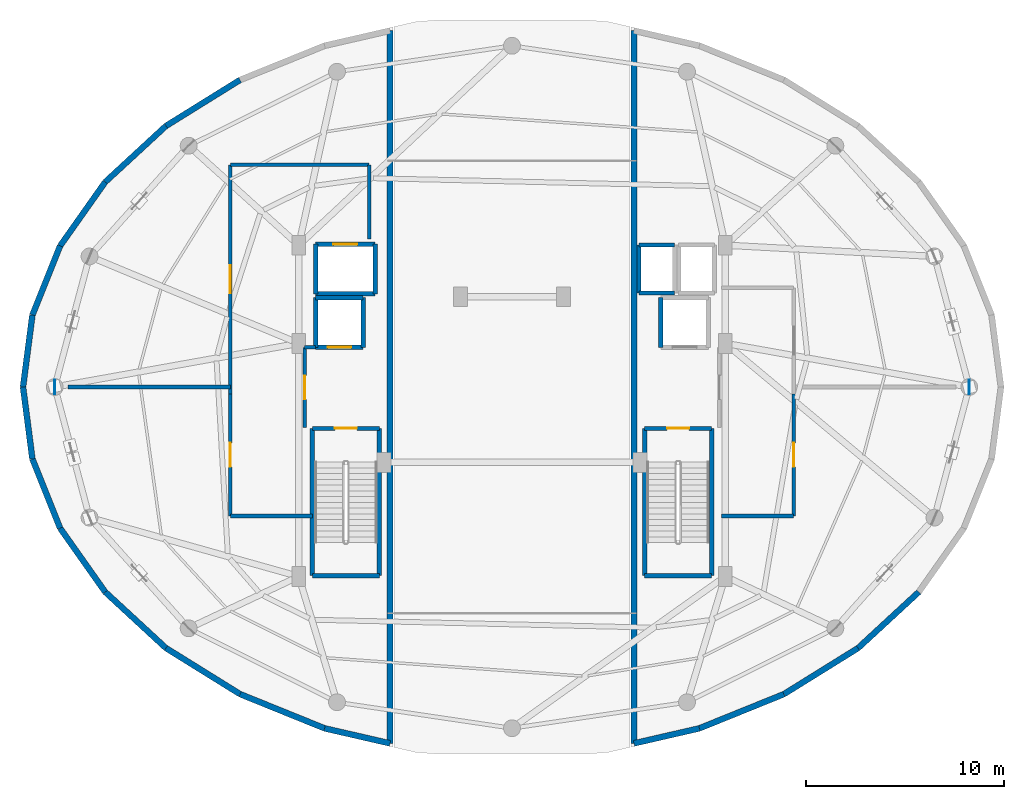
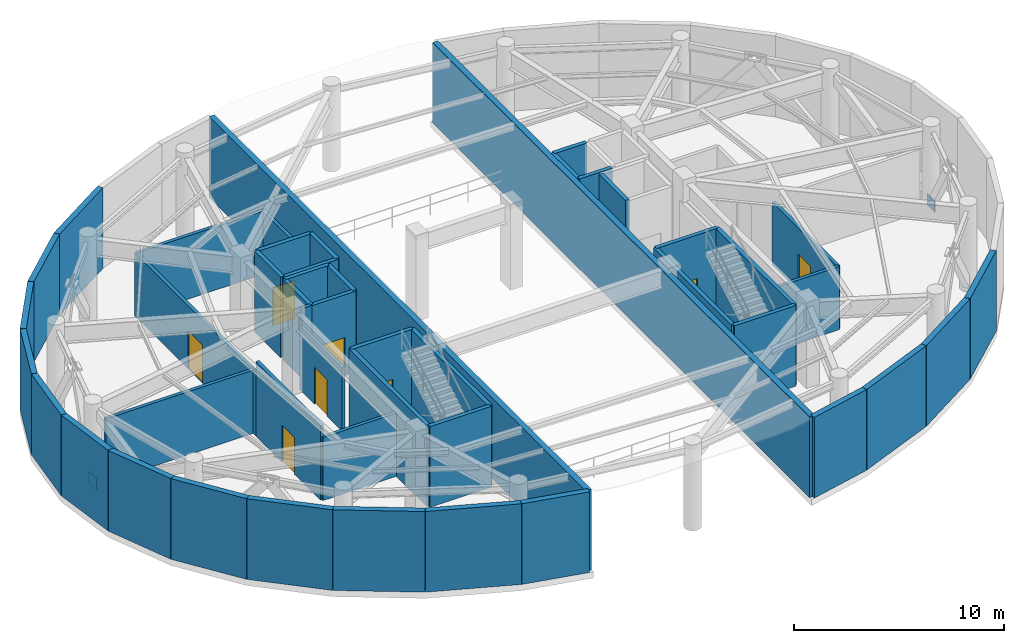
# One storey, part 5 of 7: 48 walls, 8 doors, 2 plates, 8 openings.
"""IFC4 building model written with IfcOpenShell, lengths in metres."""

from ifc_helpers import new_model, si_unit, direction, frame, frame_2d, origin, origin_2d, place, context, subcontext, project, spatial, rectangle, extrude, material, layer, layer_set, type_object, element, fill, save


model = new_model("IFC4")

# Units and contexts
model_context = context("Model", 3, precision=1e-05, world=origin(), true_north=direction((0.0, 1.0)))
body_context = subcontext(model_context, "Body", "Model", "MODEL_VIEW")
ifc_project = project(units=[si_unit("LENGTHUNIT", "METRE"), si_unit("AREAUNIT", "SQUARE_METRE"), si_unit("VOLUMEUNIT", "CUBIC_METRE"), si_unit("PLANEANGLEUNIT", "RADIAN"), si_unit("MASSUNIT", "GRAM", prefix="KILO")], contexts=[model_context])

# Site, building, storey
site_placement = place(None, origin())
site = spatial("IfcSite", under=ifc_project, at=site_placement, CompositionType="ELEMENT")
building_placement = place(site_placement, origin())
building = spatial("IfcBuilding", under=site, at=building_placement, Name="Vorneva Point Tower", CompositionType="ELEMENT")
storey_placement = place(building_placement, frame((0.0, 0.0, 280.39990234375)))
storey = spatial("IfcBuildingStorey", under=building, at=storey_placement, Name="L76", CompositionType="ELEMENT", Elevation=280.39990234375)

# Plates
ifc_material_1 = material(Name="Steel S460", Category="steel")
ifc_layer_1 = layer(ifc_material_1, 0.031982421875)
ifc_layer_set_1 = layer_set([ifc_layer_1], Name="Steel S460")
plate_type = type_object("IfcPlateType", Name="PLT-GUS-32", PredefinedType="USERDEFINED", material=ifc_layer_set_1)
for number, where, z_axis, x_axis, name in (
    (1, (61.050048828125, 26.0, -0.054931640625), (0.0, 0.0, 1.0), (0.0, 1.0, 0.0), "L76 Belt-Truss Column Base Gusset Plate 01"),
    (2, (14.949951171875, 26.0, -0.054931640625), (0.0, 0.0, 1.0), (0.0, -1.0, 0.0), "L76 Belt-Truss Column Base Gusset Plate 09"),
):
    element("IfcPlate", number, at=place(storey_placement, frame(where, z_axis=z_axis, x_axis=x_axis)), inside=storey, type_object=plate_type, Name=name, ObjectType="GUSSET PLATE", PredefinedType="USERDEFINED", context=body_context, shape_type="SweptSolid", body=[
        extrude(rectangle(XDim=0.75, YDim=0.031982421875, at=origin_2d()), origin(), (0.0, 0.0, 1.0), 0.64990234375),
    ])

# Wall, opening, door
ifc_material_2 = material(Name="Concrete B60 (C50/60)", Category="concrete")
ifc_layer_2 = layer(ifc_material_2, 0.35009765625)
ifc_layer_set_2 = layer_set([ifc_layer_2], Name="Concrete B60 (C50/60)")
wall_type_1 = type_object("IfcWallType", Name="WL-CORE-350", PredefinedType="SHEAR", material=ifc_layer_set_2)
wall_1_placement = place(storey_placement, frame((28.10009765625, 28.0, 0.0), z_axis=(0.0, 0.0, 1.0), x_axis=(1.0, 0.0, 0.0)))
wall_1 = element("IfcWall", 3, at=wall_1_placement, inside=storey, type_object=wall_type_1, Name="L76 Lift FFL1 Shaft Wall -Y", PredefinedType="SHEAR", context=body_context, shape_type="SweptSolid", body=[
    extrude(rectangle(XDim=2.39990234375, YDim=0.219970703125, at=frame_2d((1.199951171875, 0.0))), origin(), (0.0, 0.0, 1.0), 4.690185546875),
])
opening_1_placement = place(wall_1_placement, frame((0.60009765625, 0.0, 0.0)))
opening_1 = element("IfcOpeningElement", 4, at=opening_1_placement, cuts=wall_1, Name="Opening LD-02", PredefinedType="OPENING", context=body_context, shape_type="SweptSolid", body=[
    extrude(rectangle(XDim=1.199951171875, YDim=2.199951171875, at=frame_2d((0.60009765625, 1.10009765625))), frame((0.0, 0.125, 0.0), z_axis=(0.0, -1.0, 0.0), x_axis=(1.0, 0.0, 0.0)), (0.0, 0.0, 1.0), 0.249755859375),
])
ifc_material_3 = material(Name="Brushed stainless steel S304", Category="steel")
door_type_1 = type_object("IfcDoorType", Name="LD-FIRE-1200", OperationType="SLIDING_TO_LEFT", PredefinedType="DOOR", material=ifc_material_3)
door_1_placement = place(opening_1_placement, origin())
door_1 = element("IfcDoor", 5, at=door_1_placement, inside=storey, type_object=door_type_1, Name="L76 Lift FFL1 Sliding Landing Door", OperationType="SLIDING_TO_LEFT", OverallHeight=2.199951171875, OverallWidth=1.199951171875, PredefinedType="DOOR", context=body_context, shape_type="SweptSolid", body=[
    extrude(rectangle(XDim=1.199951171875, YDim=2.199951171875, at=frame_2d((0.60009765625, 1.10009765625))), frame((0.0, 0.02490234375, 0.0), z_axis=(0.0, -1.0, 0.0), x_axis=(1.0, 0.0, 0.0)), (0.0, 0.0, 1.0), 0.050048828125),
])
fill(opening_1, door_1)

# Walls
wall_2_placement = place(storey_placement, frame((30.5, 28.0, 0.0), z_axis=(0.0, 0.0, 1.0), x_axis=(0.0, 1.0, 0.0)))
element("IfcWall", 6, at=wall_2_placement, inside=storey, type_object=wall_type_1, Name="L76 Lift FFL1 Shaft Wall +X", PredefinedType="SHEAR", context=body_context, shape_type="SweptSolid", body=[
    extrude(rectangle(XDim=2.5, YDim=0.219970703125, at=frame_2d((1.25, 0.0))), origin(), (0.0, 0.0, 1.0), 4.690185546875),
])
wall_3_placement = place(storey_placement, frame((30.5, 30.5, 0.0), z_axis=(0.0, 0.0, 1.0), x_axis=(-1.0, 0.0, 0.0)))
element("IfcWall", 7, at=wall_3_placement, inside=storey, type_object=wall_type_1, Name="L76 Lift FFL1 Shaft Wall +Y", PredefinedType="SHEAR", context=body_context, shape_type="SweptSolid", body=[
    extrude(rectangle(XDim=2.39990234375, YDim=0.219970703125, at=frame_2d((1.199951171875, 0.0))), origin(), (0.0, 0.0, 1.0), 4.690185546875),
])
for number, where, z_axis, x_axis, name in (
    (8, (28.10009765625, 30.5, 0.0), (0.0, 0.0, 1.0), (0.0, -1.0, 0.0), "L76 Lift FFL1 Shaft Wall -X"),
    (9, (45.5, 30.5, 0.0), (0.0, 0.0, 1.0), (0.0, -1.0, 0.0), "L76 Lift FFL2 Shaft Wall -X"),
):
    element("IfcWall", number, at=place(storey_placement, frame(where, z_axis=z_axis, x_axis=x_axis)), inside=storey, type_object=wall_type_1, Name=name, PredefinedType="SHEAR", context=body_context, shape_type="SweptSolid", body=[
        extrude(rectangle(XDim=2.5, YDim=0.219970703125, at=frame_2d((1.25, 0.0))), origin(), (0.0, 0.0, 1.0), 4.690185546875),
    ])
ifc_material_4 = material(Name="Precast concrete B50 (C40/50)", Category="concrete")
ifc_layer_3 = layer(ifc_material_4, 0.300048828125)
ifc_layer_set_3 = layer_set([ifc_layer_3], Name="Precast concrete B50 (C40/50)")
wall_type_2 = type_object("IfcWallType", Name="WL-EXT-300", PredefinedType="STANDARD", material=ifc_layer_set_3)
wall_4_placement = place(storey_placement, frame((31.85009765625, 8.0361328125, 0.0), z_axis=(0.0, 0.0, 1.0), x_axis=(-0.974626745529, 0.223836339542, 0.0)))
element("IfcWall", 10, at=wall_4_placement, inside=storey, type_object=wall_type_2, Name="L76 Wind Portal W Acoustic Louvre Wall 01", PredefinedType="STANDARD", context=body_context, shape_type="SweptSolid", body=[
    extrude(rectangle(XDim=3.381103515625, YDim=0.300048828125, at=frame_2d((1.6904296875, 0.0))), origin(), (0.0, 0.0, 1.0), 4.690185546875),
])
wall_5_placement = place(storey_placement, frame((28.5546875, 8.79296875, 0.0), z_axis=(0.0, 0.0, 1.0), x_axis=(-0.92693538823, 0.37522098295, 0.0)))
element("IfcWall", 11, at=wall_5_placement, inside=storey, type_object=wall_type_2, Name="L76 Wind Portal W Acoustic Louvre Wall 02", PredefinedType="STANDARD", context=body_context, shape_type="SweptSolid", body=[
    extrude(rectangle(XDim=4.600830078125, YDim=0.300048828125, at=frame_2d((2.30029296875, 0.0))), origin(), (0.0, 0.0, 1.0), 4.690185546875),
])
wall_6_placement = place(storey_placement, frame((24.2900390625, 10.519287109375, 0.0), z_axis=(0.0, 0.0, 1.0), x_axis=(-0.849349234666, 0.527831296507, 0.0)))
element("IfcWall", 12, at=wall_6_placement, inside=storey, type_object=wall_type_2, Name="L76 Wind Portal W Acoustic Louvre Wall 03", PredefinedType="STANDARD", context=body_context, shape_type="SweptSolid", body=[
    extrude(rectangle(XDim=4.397216796875, YDim=0.300048828125, at=frame_2d((2.19873046875, 0.0))), origin(), (0.0, 0.0, 1.0), 4.690185546875),
])
wall_7_placement = place(storey_placement, frame((20.55517578125, 12.84033203125, 0.0), z_axis=(0.0, 0.0, 1.0), x_axis=(-0.734924736036, 0.678148680131, 0.0)))
element("IfcWall", 13, at=wall_7_placement, inside=storey, type_object=wall_type_2, Name="L76 Wind Portal W Acoustic Louvre Wall 04", PredefinedType="STANDARD", context=body_context, shape_type="SweptSolid", body=[
    extrude(rectangle(XDim=4.166748046875, YDim=0.300048828125, at=frame_2d((2.08349609375, 0.0))), origin(), (0.0, 0.0, 1.0), 4.690185546875),
])
wall_8_placement = place(storey_placement, frame((17.492919921875, 15.666015625, 0.0), z_axis=(0.0, 0.0, 1.0), x_axis=(-0.576692927478, 0.816960995028, 0.0)))
element("IfcWall", 14, at=wall_8_placement, inside=storey, type_object=wall_type_2, Name="L76 Wind Portal W Acoustic Louvre Wall 05", PredefinedType="STANDARD", context=body_context, shape_type="SweptSolid", body=[
    extrude(rectangle(XDim=3.9404296875, YDim=0.300048828125, at=frame_2d((1.97021484375, 0.0))), origin(), (0.0, 0.0, 1.0), 4.690185546875),
])
wall_9_placement = place(storey_placement, frame((15.220458984375, 18.88525390625, 0.0), z_axis=(0.0, 0.0, 1.0), x_axis=(-0.371849773866, 0.928292920191, 0.0)))
element("IfcWall", 15, at=wall_9_placement, inside=storey, type_object=wall_type_2, Name="L76 Wind Portal W Acoustic Louvre Wall 06", PredefinedType="STANDARD", context=body_context, shape_type="SweptSolid", body=[
    extrude(rectangle(XDim=3.7587890625, YDim=0.300048828125, at=frame_2d((1.87939453125, 0.0))), origin(), (0.0, 0.0, 1.0), 4.690185546875),
])
for number, where, z_axis, x_axis, name in (
    (16, (13.82275390625, 22.37451171875, 0.0), (0.0, 0.0, 1.0), (-0.128948064223, 0.991651348375, 0.0), "L76 Wind Portal W Acoustic Louvre Wall 07"),
    (17, (13.351318359375, 26.0, 0.0), (0.0, 0.0, 1.0), (0.128948064223, 0.991651348375, 0.0), "L76 Wind Portal W Acoustic Louvre Wall 08"),
):
    element("IfcWall", number, at=place(storey_placement, frame(where, z_axis=z_axis, x_axis=x_axis)), inside=storey, type_object=wall_type_2, Name=name, PredefinedType="STANDARD", context=body_context, shape_type="SweptSolid", body=[
        extrude(rectangle(XDim=3.656005859375, YDim=0.300048828125, at=frame_2d((1.828125, 0.0))), origin(), (0.0, 0.0, 1.0), 4.690185546875),
    ])
wall_10_placement = place(storey_placement, frame((13.82275390625, 29.62548828125, 0.0), z_axis=(0.0, 0.0, 1.0), x_axis=(0.371849773866, 0.928292920191, 0.0)))
element("IfcWall", 18, at=wall_10_placement, inside=storey, type_object=wall_type_2, Name="L76 Wind Portal W Acoustic Louvre Wall 09", PredefinedType="STANDARD", context=body_context, shape_type="SweptSolid", body=[
    extrude(rectangle(XDim=3.7587890625, YDim=0.300048828125, at=frame_2d((1.87939453125, 0.0))), origin(), (0.0, 0.0, 1.0), 4.690185546875),
])
wall_11_placement = place(storey_placement, frame((15.220458984375, 33.11474609375, 0.0), z_axis=(0.0, 0.0, 1.0), x_axis=(0.576692927478, 0.816960995028, 0.0)))
element("IfcWall", 19, at=wall_11_placement, inside=storey, type_object=wall_type_2, Name="L76 Wind Portal W Acoustic Louvre Wall 10", PredefinedType="STANDARD", context=body_context, shape_type="SweptSolid", body=[
    extrude(rectangle(XDim=3.9404296875, YDim=0.300048828125, at=frame_2d((1.97021484375, 0.0))), origin(), (0.0, 0.0, 1.0), 4.690185546875),
])
wall_12_placement = place(storey_placement, frame((17.492919921875, 36.333984375, 0.0), z_axis=(0.0, 0.0, 1.0), x_axis=(0.734924736036, 0.678148680131, 0.0)))
element("IfcWall", 20, at=wall_12_placement, inside=storey, type_object=wall_type_2, Name="L76 Wind Portal W Acoustic Louvre Wall 11", PredefinedType="STANDARD", context=body_context, shape_type="SweptSolid", body=[
    extrude(rectangle(XDim=4.166748046875, YDim=0.300048828125, at=frame_2d((2.08349609375, 0.0))), origin(), (0.0, 0.0, 1.0), 4.690185546875),
])
wall_13_placement = place(storey_placement, frame((20.55517578125, 39.15966796875, 0.0), z_axis=(0.0, 0.0, 1.0), x_axis=(0.849349234666, 0.527831296507, 0.0)))
element("IfcWall", 21, at=wall_13_placement, inside=storey, type_object=wall_type_2, Name="L76 Wind Portal W Acoustic Louvre Wall 12", PredefinedType="STANDARD", context=body_context, shape_type="SweptSolid", body=[
    extrude(rectangle(XDim=4.397216796875, YDim=0.300048828125, at=frame_2d((2.19873046875, 0.0))), origin(), (0.0, 0.0, 1.0), 4.690185546875),
])
wall_14_placement = place(storey_placement, frame((31.85009765625, 43.9638671875, 0.0), z_axis=(0.0, 0.0, 1.0), x_axis=(0.0, -1.0, 0.0)))
element("IfcWall", 22, at=wall_14_placement, inside=storey, type_object=wall_type_2, Name="L76 Wind Portal W Acoustic Louvre Wall 15", PredefinedType="STANDARD", context=body_context, shape_type="SweptSolid", body=[
    extrude(rectangle(XDim=35.927734375, YDim=0.300048828125, at=frame_2d((17.9638671875, 0.0))), origin(), (0.0, 0.0, 1.0), 4.690185546875),
])
wall_15_placement = place(storey_placement, frame((58.507080078125, 15.666015625, 0.0), z_axis=(0.0, 0.0, 1.0), x_axis=(-0.734924736036, -0.678148680131, 0.0)))
element("IfcWall", 23, at=wall_15_placement, inside=storey, type_object=wall_type_2, Name="L76 Wind Portal E Acoustic Louvre Wall 11", PredefinedType="STANDARD", context=body_context, shape_type="SweptSolid", body=[
    extrude(rectangle(XDim=4.166748046875, YDim=0.300048828125, at=frame_2d((2.08349609375, 0.0))), origin(), (0.0, 0.0, 1.0), 4.690185546875),
])
wall_16_placement = place(storey_placement, frame((55.44482421875, 12.84033203125, 0.0), z_axis=(0.0, 0.0, 1.0), x_axis=(-0.849349234666, -0.527831296507, 0.0)))
element("IfcWall", 24, at=wall_16_placement, inside=storey, type_object=wall_type_2, Name="L76 Wind Portal E Acoustic Louvre Wall 12", PredefinedType="STANDARD", context=body_context, shape_type="SweptSolid", body=[
    extrude(rectangle(XDim=4.397216796875, YDim=0.300048828125, at=frame_2d((2.19873046875, 0.0))), origin(), (0.0, 0.0, 1.0), 4.690185546875),
])
wall_17_placement = place(storey_placement, frame((51.7099609375, 10.519287109375, 0.0), z_axis=(0.0, 0.0, 1.0), x_axis=(-0.92693538823, -0.37522098295, 0.0)))
element("IfcWall", 25, at=wall_17_placement, inside=storey, type_object=wall_type_2, Name="L76 Wind Portal E Acoustic Louvre Wall 13", PredefinedType="STANDARD", context=body_context, shape_type="SweptSolid", body=[
    extrude(rectangle(XDim=4.600830078125, YDim=0.300048828125, at=frame_2d((2.30029296875, 0.0))), origin(), (0.0, 0.0, 1.0), 4.690185546875),
])
wall_18_placement = place(storey_placement, frame((47.4453125, 8.79296875, 0.0), z_axis=(0.0, 0.0, 1.0), x_axis=(-0.974626745529, -0.223836339542, 0.0)))
element("IfcWall", 26, at=wall_18_placement, inside=storey, type_object=wall_type_2, Name="L76 Wind Portal E Acoustic Louvre Wall 14", PredefinedType="STANDARD", context=body_context, shape_type="SweptSolid", body=[
    extrude(rectangle(XDim=3.381103515625, YDim=0.300048828125, at=frame_2d((1.6904296875, 0.0))), origin(), (0.0, 0.0, 1.0), 4.690185546875),
])
wall_19_placement = place(storey_placement, frame((44.14990234375, 8.0361328125, 0.0), z_axis=(0.0, 0.0, 1.0), x_axis=(0.0, 1.0, 0.0)))
element("IfcWall", 27, at=wall_19_placement, inside=storey, type_object=wall_type_2, Name="L76 Wind Portal E Acoustic Louvre Wall 15", PredefinedType="STANDARD", context=body_context, shape_type="SweptSolid", body=[
    extrude(rectangle(XDim=35.927734375, YDim=0.300048828125, at=frame_2d((17.9638671875, 0.0))), origin(), (0.0, 0.0, 1.0), 4.690185546875),
])
ifc_material_5 = material(Name="Autoclaved aerated concrete blockwork", Category="masonry")
ifc_layer_4 = layer(ifc_material_5, 0.179931640625)
ifc_layer_set_4 = layer_set([ifc_layer_4], Name="Autoclaved aerated concrete blockwork")
wall_type_3 = type_object("IfcWallType", Name="WL-PART-180", PredefinedType="PARTITIONING", material=ifc_layer_set_4)
wall_20_placement = place(storey_placement, frame((28.10009765625, 28.0, 0.0), z_axis=(0.0, 0.0, 1.0), x_axis=(-1.0, 0.0, 0.0)))
element("IfcWall", 28, at=wall_20_placement, inside=storey, type_object=wall_type_3, Name="L76 Interior Partition 001", PredefinedType="PARTITIONING", context=body_context, shape_type="SweptSolid", body=[
    extrude(rectangle(XDim=0.550048828125, YDim=0.179931640625, at=frame_2d((0.27490234375, 0.0))), origin(), (0.0, 0.0, 1.0), 4.690185546875),
])

# Wall, opening, door
wall_21_placement = place(storey_placement, frame((27.550048828125, 28.0, 0.0), z_axis=(0.0, 0.0, 1.0), x_axis=(0.0, -1.0, 0.0)))
wall_21 = element("IfcWall", 29, at=wall_21_placement, inside=storey, type_object=wall_type_3, Name="L76 Interior Partition 002", PredefinedType="PARTITIONING", context=body_context, shape_type="SweptSolid", body=[
    extrude(rectangle(XDim=4.050048828125, YDim=0.179931640625, at=frame_2d((2.02490234375, 0.0))), origin(), (0.0, 0.0, 1.0), 3.672119140625),
])
opening_2_placement = place(wall_21_placement, frame((1.425048828125, 0.0, 0.0)))
opening_2 = element("IfcOpeningElement", 30, at=opening_2_placement, cuts=wall_21, Name="Opening FD-02", PredefinedType="OPENING", context=body_context, shape_type="SweptSolid", body=[
    extrude(rectangle(XDim=1.199951171875, YDim=2.14990234375, at=frame_2d((0.60009765625, 1.074951171875))), frame((0.0, 0.10498046875, 0.0), z_axis=(0.0, -1.0, 0.0), x_axis=(1.0, 0.0, 0.0)), (0.0, 0.0, 1.0), 0.209716796875),
])
ifc_material_6 = material(Name="Fire-rated powder-coated steel", Category="steel")
door_type_2 = type_object("IfcDoorType", Name="DR-FFL-1200", OperationType="NOTDEFINED", PredefinedType="DOOR", material=ifc_material_6)
door_2_placement = place(opening_2_placement, origin())
door_2 = element("IfcDoor", 31, at=door_2_placement, inside=storey, type_object=door_type_2, Name="L76 Door West Firefighting Lobby / West Refuge and Plant Lobby L76", OperationType="SINGLE_SWING_RIGHT", OverallHeight=2.14990234375, OverallWidth=1.199951171875, PredefinedType="DOOR", context=body_context, shape_type="SweptSolid", body=[
    extrude(rectangle(XDim=1.199951171875, YDim=2.14990234375, at=frame_2d((0.60009765625, 1.074951171875))), frame((0.0, 0.02490234375, 0.0), z_axis=(0.0, -1.0, 0.0), x_axis=(1.0, 0.0, 0.0)), (0.0, 0.0, 1.0), 0.050048828125),
])
fill(opening_2, door_2)

# Walls
wall_22_placement = place(storey_placement, frame((30.800048828125, 33.449951171875, 0.0), z_axis=(0.0, 0.0, 1.0), x_axis=(0.0, 1.0, 0.0)))
element("IfcWall", 32, at=wall_22_placement, inside=storey, type_object=wall_type_3, Name="L76 Interior Partition 004", PredefinedType="PARTITIONING", context=body_context, shape_type="SweptSolid", body=[
    extrude(rectangle(XDim=3.75, YDim=0.179931640625, at=frame_2d((1.875, 0.0))), origin(), (0.0, 0.0, 1.0), 3.672119140625),
])
wall_23_placement = place(storey_placement, frame((30.800048828125, 37.199951171875, 0.0), z_axis=(0.0, 0.0, 1.0), x_axis=(-1.0, 0.0, 0.0)))
element("IfcWall", 33, at=wall_23_placement, inside=storey, type_object=wall_type_3, Name="L76 Interior Partition 005", PredefinedType="PARTITIONING", context=body_context, shape_type="SweptSolid", body=[
    extrude(rectangle(XDim=7.0, YDim=0.179931640625, at=frame_2d((3.5, 0.0))), origin(), (0.0, 0.0, 1.0), 3.672119140625),
])

# Wall, opening, door
wall_24_placement = place(storey_placement, frame((23.800048828125, 37.199951171875, 0.0), z_axis=(0.0, 0.0, 1.0), x_axis=(0.0, -1.0, 0.0)))
wall_24 = element("IfcWall", 34, at=wall_24_placement, inside=storey, type_object=wall_type_3, Name="L76 Interior Partition 006", PredefinedType="PARTITIONING", context=body_context, shape_type="SweptSolid", body=[
    extrude(rectangle(XDim=11.5400390625, YDim=0.179931640625, at=frame_2d((5.77001953125, 0.0))), origin(), (0.0, 0.0, 1.0), 3.672119140625),
])
opening_3_placement = place(wall_24_placement, frame((5.070068359375, 0.0, 0.0)))
opening_3 = element("IfcOpeningElement", 35, at=opening_3_placement, cuts=wall_24, Name="Opening FD-03", PredefinedType="OPENING", context=body_context, shape_type="SweptSolid", body=[
    extrude(rectangle(XDim=1.39990234375, YDim=2.199951171875, at=frame_2d((0.699951171875, 1.10009765625))), frame((0.0, 0.10498046875, 0.0), z_axis=(0.0, -1.0, 0.0), x_axis=(1.0, 0.0, 0.0)), (0.0, 0.0, 1.0), 0.209716796875),
])
door_type_3 = type_object("IfcDoorType", Name="DR-PLT-1400", OperationType="DOUBLE_SWING_LEFT", PredefinedType="DOOR", material=ifc_material_6)
door_3_placement = place(opening_3_placement, origin())
door_3 = element("IfcDoor", 36, at=door_3_placement, inside=storey, type_object=door_type_3, Name="L76 Door West Refuge and Plant Lobby L76 / Air Handling Plant Room L76", OperationType="DOUBLE_SWING_LEFT", OverallHeight=2.199951171875, OverallWidth=1.39990234375, PredefinedType="DOOR", context=body_context, shape_type="SweptSolid", body=[
    extrude(rectangle(XDim=1.39990234375, YDim=2.199951171875, at=frame_2d((0.699951171875, 1.10009765625))), frame((0.0, 0.02490234375, 0.0), z_axis=(0.0, -1.0, 0.0), x_axis=(1.0, 0.0, 0.0)), (0.0, 0.0, 1.0), 0.050048828125),
])
fill(opening_3, door_3)

wall_25_placement = place(storey_placement, frame((23.800048828125, 25.659912109375, 0.0), z_axis=(0.0, 0.0, 1.0), x_axis=(0.0, -1.0, 0.0)))
wall_25 = element("IfcWall", 37, at=wall_25_placement, inside=storey, type_object=wall_type_3, Name="L76 Interior Partition 007", PredefinedType="PARTITIONING", context=body_context, shape_type="SweptSolid", body=[
    extrude(rectangle(XDim=6.159912109375, YDim=0.179931640625, at=frame_2d((3.080078125, 0.0))), origin(), (0.0, 0.0, 1.0), 4.336181640625),
])
opening_4_placement = place(wall_25_placement, frame((2.47998046875, 0.0, 0.0)))
opening_4 = element("IfcOpeningElement", 38, at=opening_4_placement, cuts=wall_25, Name="Opening FD-02", PredefinedType="OPENING", context=body_context, shape_type="SweptSolid", body=[
    extrude(rectangle(XDim=1.199951171875, YDim=2.14990234375, at=frame_2d((0.60009765625, 1.074951171875))), frame((0.0, 0.10498046875, 0.0), z_axis=(0.0, -1.0, 0.0), x_axis=(1.0, 0.0, 0.0)), (0.0, 0.0, 1.0), 0.209716796875),
])
door_4_placement = place(opening_4_placement, origin())
door_4 = element("IfcDoor", 39, at=door_4_placement, inside=storey, type_object=door_type_2, Name="L76 Door West Refuge and Plant Lobby L76 / Refuge Area West L76", OperationType="SINGLE_SWING_RIGHT", OverallHeight=2.14990234375, OverallWidth=1.199951171875, PredefinedType="DOOR", context=body_context, shape_type="SweptSolid", body=[
    extrude(rectangle(XDim=1.199951171875, YDim=2.14990234375, at=frame_2d((0.60009765625, 1.074951171875))), frame((0.0, 0.02490234375, 0.0), z_axis=(0.0, -1.0, 0.0), x_axis=(1.0, 0.0, 0.0)), (0.0, 0.0, 1.0), 0.050048828125),
])
fill(opening_4, door_4)

# Wall
wall_26_placement = place(storey_placement, frame((23.800048828125, 19.5, 0.0), z_axis=(0.0, 0.0, 1.0), x_axis=(1.0, 0.0, 0.0)))
element("IfcWall", 40, at=wall_26_placement, inside=storey, type_object=wall_type_3, Name="L76 Interior Partition 008", PredefinedType="PARTITIONING", context=body_context, shape_type="SweptSolid", body=[
    extrude(rectangle(XDim=4.14990234375, YDim=0.179931640625, at=frame_2d((2.074951171875, 0.0))), origin(), (0.0, 0.0, 1.0), 3.672119140625),
])

# Wall, opening, door
wall_27_placement = place(storey_placement, frame((52.199951171875, 19.5, 0.0), z_axis=(0.0, 0.0, 1.0), x_axis=(0.0, 1.0, 0.0)))
wall_27 = element("IfcWall", 41, at=wall_27_placement, inside=storey, type_object=wall_type_3, Name="L76 Interior Partition 011", PredefinedType="PARTITIONING", context=body_context, shape_type="SweptSolid", body=[
    extrude(rectangle(XDim=6.159912109375, YDim=0.179931640625, at=frame_2d((3.080078125, 0.0))), origin(), (0.0, 0.0, 1.0), 3.672119140625),
])
opening_5_placement = place(wall_27_placement, frame((2.47998046875, 0.0, 0.0)))
opening_5 = element("IfcOpeningElement", 42, at=opening_5_placement, cuts=wall_27, Name="Opening FD-02", PredefinedType="OPENING", context=body_context, shape_type="SweptSolid", body=[
    extrude(rectangle(XDim=1.199951171875, YDim=2.14990234375, at=frame_2d((0.60009765625, 1.074951171875))), frame((0.0, 0.10498046875, 0.0), z_axis=(0.0, -1.0, 0.0), x_axis=(1.0, 0.0, 0.0)), (0.0, 0.0, 1.0), 0.209716796875),
])
door_5_placement = place(opening_5_placement, origin())
door_5 = element("IfcDoor", 43, at=door_5_placement, inside=storey, type_object=door_type_2, Name="L76 Door East Refuge and Plant Lobby L76 / Refuge Area East L76", OperationType="SINGLE_SWING_RIGHT", OverallHeight=2.14990234375, OverallWidth=1.199951171875, PredefinedType="DOOR", context=body_context, shape_type="SweptSolid", body=[
    extrude(rectangle(XDim=1.199951171875, YDim=2.14990234375, at=frame_2d((0.60009765625, 1.074951171875))), frame((0.0, 0.02490234375, 0.0), z_axis=(0.0, -1.0, 0.0), x_axis=(1.0, 0.0, 0.0)), (0.0, 0.0, 1.0), 0.050048828125),
])
fill(opening_5, door_5)

# Walls
wall_28_placement = place(storey_placement, frame((48.550048828125, 19.5, 0.0), z_axis=(0.0, 0.0, 1.0), x_axis=(1.0, 0.0, 0.0)))
element("IfcWall", 44, at=wall_28_placement, inside=storey, type_object=wall_type_3, Name="L76 Interior Partition 012", PredefinedType="PARTITIONING", context=body_context, shape_type="SweptSolid", body=[
    extrude(rectangle(XDim=3.64990234375, YDim=0.179931640625, at=frame_2d((1.824951171875, 0.0))), origin(), (0.0, 0.0, 1.0), 3.672119140625),
])
wall_29_placement = place(storey_placement, frame((15.623046875, 26.0, 0.0), z_axis=(0.0, 0.0, 1.0), x_axis=(1.0, 0.0, 0.0)))
element("IfcWall", 45, at=wall_29_placement, inside=storey, type_object=wall_type_3, Name="L76 Interior Partition 013", PredefinedType="PARTITIONING", context=body_context, shape_type="SweptSolid", body=[
    extrude(rectangle(XDim=8.177001953125, YDim=0.179931640625, at=frame_2d((4.08837890625, 0.0))), origin(), (0.0, 0.0, 1.0), 3.672119140625),
])

# Wall, opening, door
ifc_material_7 = material(Name="Concrete B50 (C40/50)", Category="concrete")
ifc_layer_5 = layer(ifc_material_7, 0.219970703125)
ifc_layer_set_5 = layer_set([ifc_layer_5], Name="Concrete B50 (C40/50)")
wall_type_4 = type_object("IfcWallType", Name="WL-SHFT-220", PredefinedType="SOLIDWALL", material=ifc_layer_set_5)
wall_30_placement = place(storey_placement, frame((27.93994140625, 23.909912109375, 0.0), z_axis=(0.0, 0.0, 1.0), x_axis=(1.0, 0.0, 0.0)))
wall_30 = element("IfcWall", 46, at=wall_30_placement, inside=storey, type_object=wall_type_4, Name="L76 Exit Stair ST1 Shaft Wall near", PredefinedType="SOLIDWALL", context=body_context, shape_type="SweptSolid", body=[
    extrude(rectangle(XDim=3.3701171875, YDim=0.219970703125, at=frame_2d((1.68505859375, 0.0))), origin(), (0.0, 0.0, 1.0), 4.690185546875),
])
opening_6_placement = place(wall_30_placement, frame((1.135009765625, 0.0, 0.0)))
opening_6 = element("IfcOpeningElement", 47, at=opening_6_placement, cuts=wall_30, Name="Opening FD-01", PredefinedType="OPENING", context=body_context, shape_type="SweptSolid", body=[
    extrude(rectangle(XDim=1.10009765625, YDim=2.14990234375, at=frame_2d((0.550048828125, 1.074951171875))), frame((0.0, 0.125, 0.0), z_axis=(0.0, -1.0, 0.0), x_axis=(1.0, 0.0, 0.0)), (0.0, 0.0, 1.0), 0.249755859375),
])
door_type_4 = type_object("IfcDoorType", Name="DR-STAIR-1100", OperationType="NOTDEFINED", PredefinedType="DOOR", material=ifc_material_6)
door_6_placement = place(opening_6_placement, origin())
door_6 = element("IfcDoor", 48, at=door_6_placement, inside=storey, type_object=door_type_4, Name="L76 Exit Stair ST1 Fire Door", OperationType="SINGLE_SWING_RIGHT", OverallHeight=2.14990234375, OverallWidth=1.10009765625, PredefinedType="DOOR", context=body_context, shape_type="SweptSolid", body=[
    extrude(rectangle(XDim=1.10009765625, YDim=2.14990234375, at=frame_2d((0.550048828125, 1.074951171875))), frame((0.0, 0.02490234375, 0.0), z_axis=(0.0, -1.0, 0.0), x_axis=(1.0, 0.0, 0.0)), (0.0, 0.0, 1.0), 0.050048828125),
])
fill(opening_6, door_6)

# Walls
wall_31_placement = place(storey_placement, frame((31.31005859375, 23.909912109375, 0.0), z_axis=(0.0, 0.0, 1.0), x_axis=(0.0, -1.0, 0.0)))
element("IfcWall", 49, at=wall_31_placement, inside=storey, type_object=wall_type_4, Name="L76 Exit Stair ST1 Shaft Wall right", PredefinedType="SOLIDWALL", context=body_context, shape_type="SweptSolid", body=[
    extrude(rectangle(XDim=7.419921875, YDim=0.219970703125, at=frame_2d((3.7099609375, 0.0))), origin(), (0.0, 0.0, 1.0), 4.690185546875),
])
wall_32_placement = place(storey_placement, frame((31.31005859375, 16.489990234375, 0.0), z_axis=(0.0, 0.0, 1.0), x_axis=(-1.0, 0.0, 0.0)))
element("IfcWall", 50, at=wall_32_placement, inside=storey, type_object=wall_type_4, Name="L76 Exit Stair ST1 Shaft Wall far", PredefinedType="SOLIDWALL", context=body_context, shape_type="SweptSolid", body=[
    extrude(rectangle(XDim=3.3701171875, YDim=0.219970703125, at=frame_2d((1.68505859375, 0.0))), origin(), (0.0, 0.0, 1.0), 4.690185546875),
])
wall_33_placement = place(storey_placement, frame((27.93994140625, 16.489990234375, 0.0), z_axis=(0.0, 0.0, 1.0), x_axis=(0.0, 1.0, 0.0)))
element("IfcWall", 51, at=wall_33_placement, inside=storey, type_object=wall_type_4, Name="L76 Exit Stair ST1 Shaft Wall left", PredefinedType="SOLIDWALL", context=body_context, shape_type="SweptSolid", body=[
    extrude(rectangle(XDim=7.419921875, YDim=0.219970703125, at=frame_2d((3.7099609375, 0.0))), origin(), (0.0, 0.0, 1.0), 4.690185546875),
])

# Wall, opening, door
wall_34_placement = place(storey_placement, frame((44.68994140625, 23.909912109375, 0.0), z_axis=(0.0, 0.0, 1.0), x_axis=(1.0, 0.0, 0.0)))
wall_34 = element("IfcWall", 52, at=wall_34_placement, inside=storey, type_object=wall_type_4, Name="L76 Exit Stair ST2 Shaft Wall near", PredefinedType="SOLIDWALL", context=body_context, shape_type="SweptSolid", body=[
    extrude(rectangle(XDim=3.3701171875, YDim=0.219970703125, at=frame_2d((1.68505859375, 0.0))), origin(), (0.0, 0.0, 1.0), 4.690185546875),
])
opening_7_placement = place(wall_34_placement, frame((1.135009765625, 0.0, 0.0)))
opening_7 = element("IfcOpeningElement", 53, at=opening_7_placement, cuts=wall_34, Name="Opening FD-01", PredefinedType="OPENING", context=body_context, shape_type="SweptSolid", body=[
    extrude(rectangle(XDim=1.10009765625, YDim=2.14990234375, at=frame_2d((0.550048828125, 1.074951171875))), frame((0.0, 0.125, 0.0), z_axis=(0.0, -1.0, 0.0), x_axis=(1.0, 0.0, 0.0)), (0.0, 0.0, 1.0), 0.249755859375),
])
door_7_placement = place(opening_7_placement, origin())
door_7 = element("IfcDoor", 54, at=door_7_placement, inside=storey, type_object=door_type_4, Name="L76 Exit Stair ST2 Fire Door", OperationType="SINGLE_SWING_LEFT", OverallHeight=2.14990234375, OverallWidth=1.10009765625, PredefinedType="DOOR", context=body_context, shape_type="SweptSolid", body=[
    extrude(rectangle(XDim=1.10009765625, YDim=2.14990234375, at=frame_2d((0.550048828125, 1.074951171875))), frame((0.0, 0.02490234375, 0.0), z_axis=(0.0, -1.0, 0.0), x_axis=(1.0, 0.0, 0.0)), (0.0, 0.0, 1.0), 0.050048828125),
])
fill(opening_7, door_7)

# Walls
wall_35_placement = place(storey_placement, frame((48.06005859375, 23.909912109375, 0.0), z_axis=(0.0, 0.0, 1.0), x_axis=(0.0, -1.0, 0.0)))
element("IfcWall", 55, at=wall_35_placement, inside=storey, type_object=wall_type_4, Name="L76 Exit Stair ST2 Shaft Wall right", PredefinedType="SOLIDWALL", context=body_context, shape_type="SweptSolid", body=[
    extrude(rectangle(XDim=7.419921875, YDim=0.219970703125, at=frame_2d((3.7099609375, 0.0))), origin(), (0.0, 0.0, 1.0), 4.690185546875),
])
wall_36_placement = place(storey_placement, frame((48.06005859375, 16.489990234375, 0.0), z_axis=(0.0, 0.0, 1.0), x_axis=(-1.0, 0.0, 0.0)))
element("IfcWall", 56, at=wall_36_placement, inside=storey, type_object=wall_type_4, Name="L76 Exit Stair ST2 Shaft Wall far", PredefinedType="SOLIDWALL", context=body_context, shape_type="SweptSolid", body=[
    extrude(rectangle(XDim=3.3701171875, YDim=0.219970703125, at=frame_2d((1.68505859375, 0.0))), origin(), (0.0, 0.0, 1.0), 4.690185546875),
])
wall_37_placement = place(storey_placement, frame((44.68994140625, 16.489990234375, 0.0), z_axis=(0.0, 0.0, 1.0), x_axis=(0.0, 1.0, 0.0)))
element("IfcWall", 57, at=wall_37_placement, inside=storey, type_object=wall_type_4, Name="L76 Exit Stair ST2 Shaft Wall left", PredefinedType="SOLIDWALL", context=body_context, shape_type="SweptSolid", body=[
    extrude(rectangle(XDim=7.419921875, YDim=0.219970703125, at=frame_2d((3.7099609375, 0.0))), origin(), (0.0, 0.0, 1.0), 4.690185546875),
])
for number, where, z_axis, x_axis, name in (
    (58, (44.39990234375, 30.739990234375, 0.0), (0.0, 0.0, 1.0), (1.0, 0.0, 0.0), "L76 Lift EX1 Shaft Wall -Y"),
    (59, (46.199951171875, 33.159912109375, 0.0), (0.0, 0.0, 1.0), (-1.0, 0.0, 0.0), "L76 Lift EX1 Shaft Wall +Y"),
):
    element("IfcWall", number, at=place(storey_placement, frame(where, z_axis=z_axis, x_axis=x_axis)), inside=storey, type_object=wall_type_4, Name=name, PredefinedType="SOLIDWALL", context=body_context, shape_type="SweptSolid", body=[
        extrude(rectangle(XDim=1.800048828125, YDim=0.219970703125, at=frame_2d((0.89990234375, 0.0))), origin(), (0.0, 0.0, 1.0), 4.690185546875),
    ])
wall_38_placement = place(storey_placement, frame((44.39990234375, 33.159912109375, 0.0), z_axis=(0.0, 0.0, 1.0), x_axis=(0.0, -1.0, 0.0)))
element("IfcWall", 60, at=wall_38_placement, inside=storey, type_object=wall_type_4, Name="L76 Lift EX1 Shaft Wall -X", PredefinedType="SOLIDWALL", context=body_context, shape_type="SweptSolid", body=[
    extrude(rectangle(XDim=2.419921875, YDim=0.219970703125, at=frame_2d((1.2099609375, 0.0))), origin(), (0.0, 0.0, 1.0), 4.690185546875),
])
wall_39_placement = place(storey_placement, frame((28.10009765625, 30.699951171875, 0.0), z_axis=(0.0, 0.0, 1.0), x_axis=(1.0, 0.0, 0.0)))
element("IfcWall", 61, at=wall_39_placement, inside=storey, type_object=wall_type_4, Name="L76 Lift SVL1 Shaft Wall -Y", PredefinedType="SOLIDWALL", context=body_context, shape_type="SweptSolid", body=[
    extrude(rectangle(XDim=3.0, YDim=0.219970703125, at=frame_2d((1.5, 0.0))), origin(), (0.0, 0.0, 1.0), 4.690185546875),
])
wall_40_placement = place(storey_placement, frame((31.10009765625, 30.699951171875, 0.0), z_axis=(0.0, 0.0, 1.0), x_axis=(0.0, 1.0, 0.0)))
element("IfcWall", 62, at=wall_40_placement, inside=storey, type_object=wall_type_4, Name="L76 Lift SVL1 Shaft Wall +X", PredefinedType="SOLIDWALL", context=body_context, shape_type="SweptSolid", body=[
    extrude(rectangle(XDim=2.5, YDim=0.219970703125, at=frame_2d((1.25, 0.0))), origin(), (0.0, 0.0, 1.0), 4.690185546875),
])

# Wall, opening, door
wall_41_placement = place(storey_placement, frame((31.10009765625, 33.199951171875, 0.0), z_axis=(0.0, 0.0, 1.0), x_axis=(-1.0, 0.0, 0.0)))
wall_41 = element("IfcWall", 63, at=wall_41_placement, inside=storey, type_object=wall_type_4, Name="L76 Lift SVL1 Shaft Wall +Y", PredefinedType="SOLIDWALL", context=body_context, shape_type="SweptSolid", body=[
    extrude(rectangle(XDim=3.0, YDim=0.219970703125, at=frame_2d((1.5, 0.0))), origin(), (0.0, 0.0, 1.0), 4.690185546875),
])
opening_8_placement = place(wall_41_placement, frame((0.89990234375, 0.0, 0.0)))
opening_8 = element("IfcOpeningElement", 64, at=opening_8_placement, cuts=wall_41, Name="Opening LD-02", PredefinedType="OPENING", context=body_context, shape_type="SweptSolid", body=[
    extrude(rectangle(XDim=1.199951171875, YDim=2.199951171875, at=frame_2d((0.60009765625, 1.10009765625))), frame((0.0, 0.125, 0.0), z_axis=(0.0, -1.0, 0.0), x_axis=(1.0, 0.0, 0.0)), (0.0, 0.0, 1.0), 0.249755859375),
])
door_8_placement = place(opening_8_placement, origin())
door_8 = element("IfcDoor", 65, at=door_8_placement, inside=storey, type_object=door_type_1, Name="L76 Lift SVL1 Sliding Landing Door", OperationType="SLIDING_TO_LEFT", OverallHeight=2.199951171875, OverallWidth=1.199951171875, PredefinedType="DOOR", context=body_context, shape_type="SweptSolid", body=[
    extrude(rectangle(XDim=1.199951171875, YDim=2.199951171875, at=frame_2d((0.60009765625, 1.10009765625))), frame((0.0, 0.02490234375, 0.0), z_axis=(0.0, -1.0, 0.0), x_axis=(1.0, 0.0, 0.0)), (0.0, 0.0, 1.0), 0.050048828125),
])
fill(opening_8, door_8)

# Wall
wall_42_placement = place(storey_placement, frame((28.10009765625, 33.199951171875, 0.0), z_axis=(0.0, 0.0, 1.0), x_axis=(0.0, -1.0, 0.0)))
element("IfcWall", 66, at=wall_42_placement, inside=storey, type_object=wall_type_4, Name="L76 Lift SVL1 Shaft Wall -X", PredefinedType="SOLIDWALL", context=body_context, shape_type="SweptSolid", body=[
    extrude(rectangle(XDim=2.5, YDim=0.219970703125, at=frame_2d((1.25, 0.0))), origin(), (0.0, 0.0, 1.0), 4.690185546875),
])

save(model, "model.ifc")
